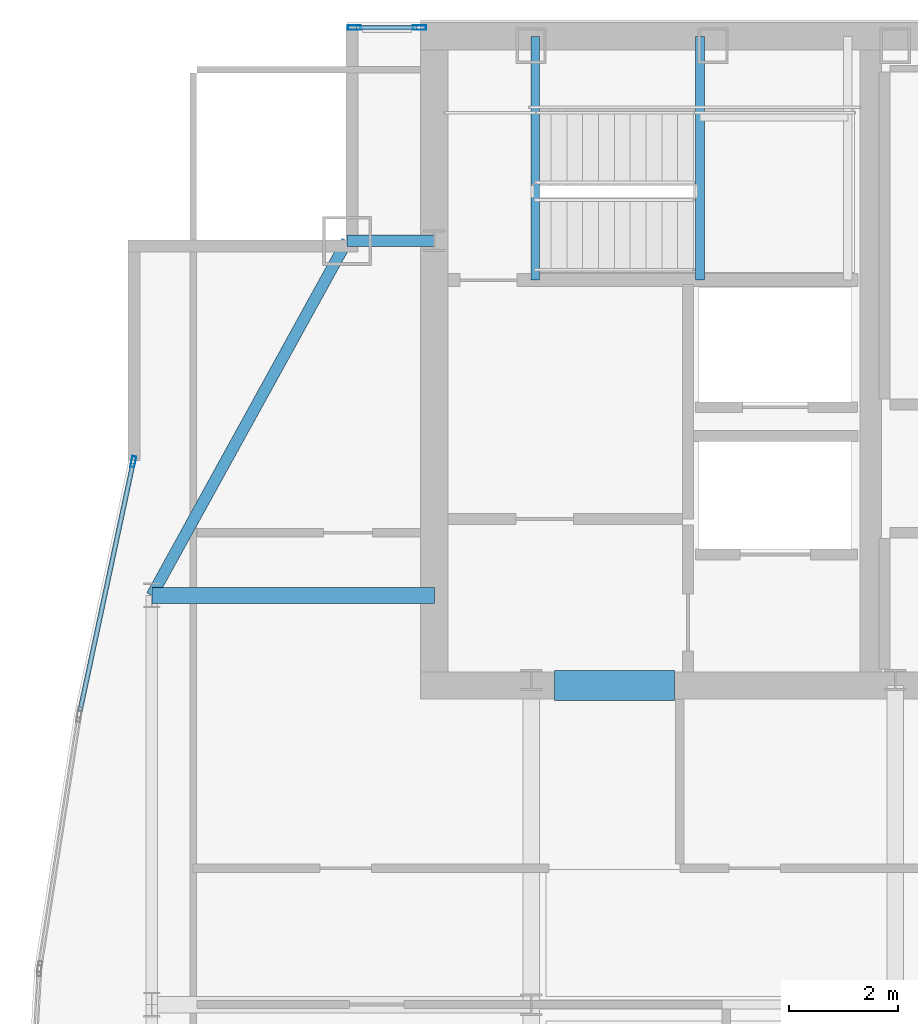
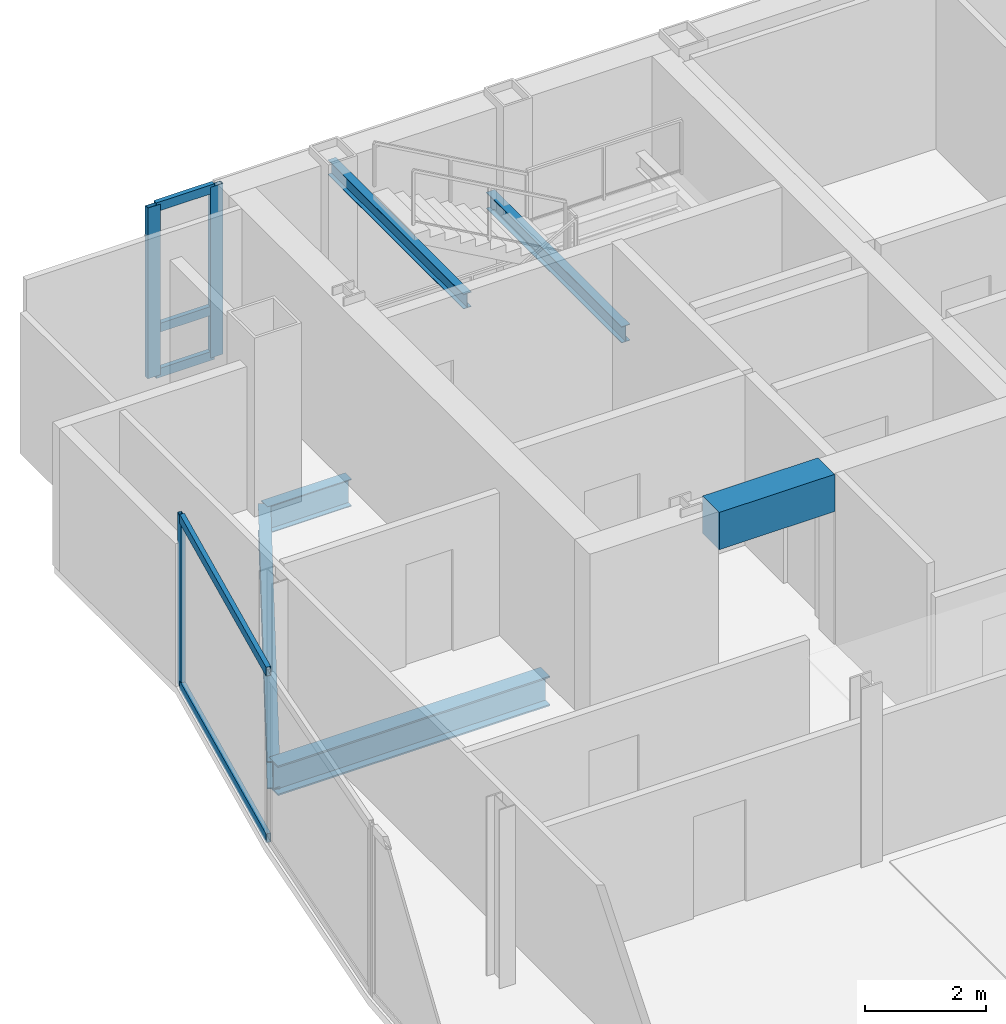
# One storey, part 20 of 29: 8 members, 6 beams, 2 elements without a shape of their own.
"""IFC4 building model written with IfcOpenShell, lengths in metres."""

from ifc_helpers import new_model, si_unit, direction, frame, origin, origin_2d, place, context, subcontext, project, spatial, rectangle, hollow_rectangle, i_section, extrude, material, material_profile, profile_set, type_object, element, aggregate, save


model = new_model("IFC4")

# Units and contexts
model_context = context("Model", 3, precision=1e-05, world=origin(), true_north=direction((0.0, 1.0)))
body_context = subcontext(model_context, "Body", "Model", "MODEL_VIEW")
ifc_project = project(units=[si_unit("LENGTHUNIT", "METRE"), si_unit("AREAUNIT", "SQUARE_METRE"), si_unit("VOLUMEUNIT", "CUBIC_METRE"), si_unit("PLANEANGLEUNIT", "RADIAN"), si_unit("MASSUNIT", "GRAM", prefix="KILO")], contexts=[model_context])

# Site, building, storey
site_placement = place(None, origin())
site = spatial("IfcSite", under=ifc_project, at=site_placement, CompositionType="ELEMENT")
building_placement = place(site_placement, origin())
building = spatial("IfcBuilding", under=site, at=building_placement, Name="Khoronbel Lancet Exchange", CompositionType="ELEMENT")
storey_placement = place(building_placement, frame((0.0, 0.0, 329.0)))
storey = spatial("IfcBuildingStorey", under=building, at=storey_placement, Name="L85", CompositionType="ELEMENT", Elevation=329.0)

# Beams
ifc_material_1 = material(Name="Steel S355", Category="steel")
ifc_material_profile_1 = material_profile(ifc_material_1, i_section(OverallWidth=0.300048828125, OverallDepth=0.60009765625, WebThickness=0.015380859375, FlangeThickness=0.030029296875, at=origin_2d()), Name="HEB 600")
ifc_profile_set_1 = profile_set([ifc_material_profile_1], Name="Steel S355")
beam_type_1 = type_object("IfcBeamType", Name="BM-BG5", PredefinedType="BEAM", material=ifc_profile_set_1)
beam_1_placement = place(storey_placement, frame((11.27001953125, 43.199951171875, -0.4599609375), z_axis=(1.0, 0.0, 0.0), x_axis=(0.0, 1.0, 0.0)))
element("IfcBeam", 1, at=beam_1_placement, inside=storey, type_object=beam_type_1, Name="Level L85 west lens tie girder LG3W", PredefinedType="BEAM", context=body_context, shape_type="SweptSolid", body=[
    extrude(i_section(OverallWidth=0.300048828125, OverallDepth=0.60009765625, WebThickness=0.015380859375, FlangeThickness=0.030029296875, at=origin_2d()), origin(), (0.0, 0.0, 1.0), 5.179931640625),
])
ifc_material_profile_2 = material_profile(ifc_material_1, i_section(OverallWidth=0.159912109375, OverallDepth=0.330078125, WebThickness=0.007568359375, FlangeThickness=0.011474609375, at=origin_2d()), Name="IPE 330")
ifc_profile_set_2 = profile_set([ifc_material_profile_2], Name="Steel S355")
beam_type_2 = type_object("IfcBeamType", Name="BM-BJ7", PredefinedType="JOIST", material=ifc_profile_set_2)
beam_2_placement = place(storey_placement, frame((21.320068359375, 48.97998046875, 1.43505859375), z_axis=(0.0, 1.0, 0.0), x_axis=(-1.0, 0.0, 0.0)))
element("IfcBeam", 2, at=beam_2_placement, inside=storey, type_object=beam_type_2, Name="Level L85 stair ST1 landing bearer beam 1", PredefinedType="JOIST", context=body_context, shape_type="SweptSolid", body=[
    extrude(i_section(OverallWidth=0.159912109375, OverallDepth=0.330078125, WebThickness=0.007568359375, FlangeThickness=0.011474609375, at=origin_2d()), origin(), (0.0, 0.0, 1.0), 4.469970703125),
])
ifc_material_profile_3 = material_profile(ifc_material_1, i_section(OverallWidth=0.14990234375, OverallDepth=0.300048828125, WebThickness=0.007080078125, FlangeThickness=0.0107421875, at=origin_2d()), Name="IPE 300")
ifc_profile_set_3 = profile_set([ifc_material_profile_3], Name="Steel S355")
beam_type_3 = type_object("IfcBeamType", Name="BM-BJ8", PredefinedType="JOIST", material=ifc_profile_set_3)
beam_3_placement = place(storey_placement, frame((18.300048828125, 48.97998046875, 3.159912109375), z_axis=(0.0, 1.0, 0.0), x_axis=(-1.0, 0.0, 0.0)))
element("IfcBeam", 3, at=beam_3_placement, inside=storey, type_object=beam_type_3, Name="Level L85 stair ST1 upper-flight arrival trimmer beam", PredefinedType="JOIST", context=body_context, shape_type="SweptSolid", body=[
    extrude(i_section(OverallWidth=0.14990234375, OverallDepth=0.300048828125, WebThickness=0.007080078125, FlangeThickness=0.0107421875, at=origin_2d()), origin(), (0.0, 0.0, 1.0), 4.469970703125),
])
ifc_material_2 = material(Name="Concrete C60/75", Category="concrete")
ifc_material_profile_4 = material_profile(ifc_material_2, rectangle(XDim=0.550048828125, YDim=0.75, at=origin_2d()), Name="RC 550x750")
ifc_profile_set_4 = profile_set([ifc_material_profile_4], Name="Concrete C60/75")
beam_type_4 = type_object("IfcBeamType", Name="BM-BL2", PredefinedType="LINTEL", material=ifc_profile_set_4)
beam_4_placement = place(storey_placement, frame((18.64990234375, 41.550048828125, 3.06494140625), z_axis=(1.0, 0.0, 0.0), x_axis=(0.0, 1.0, 0.0)))
element("IfcBeam", 4, at=beam_4_placement, inside=storey, type_object=beam_type_4, Name="Level L85 rear core coupling lintel L1", PredefinedType="LINTEL", context=body_context, shape_type="SweptSolid", body=[
    extrude(rectangle(XDim=0.550048828125, YDim=0.75, at=origin_2d()), origin(), (0.0, 0.0, 1.0), 2.2001953125),
])
ifc_material_profile_5 = material_profile(ifc_material_1, i_section(OverallWidth=0.2099609375, OverallDepth=0.550048828125, WebThickness=0.010986328125, FlangeThickness=0.01708984375, at=origin_2d()), Name="IPE 550")
ifc_profile_set_5 = profile_set([ifc_material_profile_5], Name="Steel S355")
beam_type_5 = type_object("IfcBeamType", Name="BM-BSP3", PredefinedType="SPANDREL", material=ifc_profile_set_5)
beam_5_placement = place(storey_placement, frame((14.85009765625, 49.699951171875, -0.43505859375), z_axis=(-0.482444051088, -0.875926787791, 0.0), x_axis=(0.875926787791, -0.482444051088, 0.0)))
element("IfcBeam", 5, at=beam_5_placement, inside=storey, type_object=beam_type_5, Name="Level L85 perimeter spandrel beam SP14", PredefinedType="SPANDREL", context=body_context, shape_type="SweptSolid", body=[
    extrude(i_section(OverallWidth=0.2099609375, OverallDepth=0.550048828125, WebThickness=0.010986328125, FlangeThickness=0.01708984375, at=origin_2d()), origin(), (0.0, 0.0, 1.0), 7.420654296875),
])
beam_6_placement = place(storey_placement, frame((14.85009765625, 49.699951171875, -0.43505859375), z_axis=(1.0, 0.0, 0.0), x_axis=(0.0, 1.0, 0.0)))
element("IfcBeam", 6, at=beam_6_placement, inside=storey, type_object=beam_type_5, Name="Level L85 north flank tie spandrel SP20", PredefinedType="SPANDREL", context=body_context, shape_type="SweptSolid", body=[
    extrude(i_section(OverallWidth=0.2099609375, OverallDepth=0.550048828125, WebThickness=0.010986328125, FlangeThickness=0.01708984375, at=origin_2d()), origin(), (0.0, 0.0, 1.0), 1.599853515625),
])

# Curtain wall, members
ifc_material_3 = material(Name="Low-E Solar Control Insulating Glass", Category="glass")
curtain_wall_type_1 = type_object("IfcCurtainWallType", Name="CW-3", PredefinedType="NOTDEFINED", material=ifc_material_3)
curtain_wall_1_placement = place(storey_placement, origin())
curtain_wall_1 = element("IfcCurtainWall", 7, at=curtain_wall_1_placement, inside=storey, type_object=curtain_wall_type_1, Name="Unitised curtain wall CW-L85-NWFLK", PredefinedType="NOTDEFINED")
ifc_material_4 = material(Name="Bronze-Anodised Aluminium 6063-T6", Category="aluminium")
ifc_material_profile_6 = material_profile(ifc_material_4, hollow_rectangle(XDim=0.0849609375, YDim=0.239990234375, WallThickness=0.006103515625, at=origin_2d()), Name="ALU MULLION 85x240")
ifc_profile_set_6 = profile_set([ifc_material_profile_6], Name="Bronze-Anodised Aluminium 6063-T6")
member_type_1 = type_object("IfcMemberType", Name="MEM-CWM1", PredefinedType="MULLION", material=ifc_profile_set_6)
member_1_placement = place(storey_placement, frame((16.177490234375, 53.610107421875, 0.0), z_axis=(0.0, 0.0, 1.0), x_axis=(0.0, -1.0, 0.0)))
member_1 = element("IfcMember", 8, at=member_1_placement, type_object=member_type_1, Name="CW3 mullion 1", PredefinedType="MULLION", context=body_context, shape_type="SweptSolid", body=[
    extrude(hollow_rectangle(XDim=0.0849609375, YDim=0.239990234375, WallThickness=0.006103515625, at=origin_2d()), origin(), (0.0, 0.0, 1.0), 3.43994140625),
])
member_2_placement = place(storey_placement, frame((14.982421875, 53.610107421875, 0.0), z_axis=(0.0, 0.0, 1.0), x_axis=(0.0, -1.0, 0.0)))
member_2 = element("IfcMember", 9, at=member_2_placement, type_object=member_type_1, Name="CW3 mullion 2", PredefinedType="MULLION", context=body_context, shape_type="SweptSolid", body=[
    extrude(hollow_rectangle(XDim=0.0849609375, YDim=0.239990234375, WallThickness=0.006103515625, at=origin_2d()), origin(), (0.0, 0.0, 1.0), 3.43994140625),
])

curtain_wall_type_2 = type_object("IfcCurtainWallType", Name="CW-4", PredefinedType="NOTDEFINED", material=ifc_material_3)
curtain_wall_2_placement = place(storey_placement, origin())
curtain_wall_2 = element("IfcCurtainWall", 10, at=curtain_wall_2_placement, inside=storey, type_object=curtain_wall_type_2, Name="Unitised curtain wall CW-L85-E09", PredefinedType="NOTDEFINED")
ifc_material_profile_7 = material_profile(ifc_material_4, hollow_rectangle(XDim=0.074951171875, YDim=0.199951171875, WallThickness=0.0048828125, at=origin_2d()), Name="ALU MULLION 75x200")
ifc_profile_set_7 = profile_set([ifc_material_profile_7], Name="Bronze-Anodised Aluminium 6063-T6")
member_type_2 = type_object("IfcMemberType", Name="MEM-CWM2", PredefinedType="MULLION", material=ifc_profile_set_7)
member_3_placement = place(storey_placement, frame((10.93212890625, 45.65380859375, 0.0), z_axis=(0.0, 0.0, 1.0), x_axis=(-0.977891735749, 0.209111819739, 0.0)))
member_3 = element("IfcMember", 11, at=member_3_placement, type_object=member_type_2, Name="CW4 mullion 2", PredefinedType="MULLION", context=body_context, shape_type="SweptSolid", body=[
    extrude(hollow_rectangle(XDim=0.074951171875, YDim=0.199951171875, WallThickness=0.0048828125, at=origin_2d()), origin(), (0.0, 0.0, 1.0), 3.43994140625),
])
ifc_material_profile_8 = material_profile(ifc_material_4, hollow_rectangle(XDim=0.0849609375, YDim=0.179931640625, WallThickness=0.0048828125, at=origin_2d()), Name="ALU TRANSOM 85x180")
ifc_profile_set_8 = profile_set([ifc_material_profile_8], Name="Bronze-Anodised Aluminium 6063-T6")
member_type_3 = type_object("IfcMemberType", Name="MEM-CWT1", PredefinedType="USERDEFINED", material=ifc_profile_set_8)
member_4_placement = place(storey_placement, frame((9.956298828125, 41.09033203125, 0.04248046875), z_axis=(0.209111271548, 0.977891852973, 0.0), x_axis=(-0.977891852973, 0.209111271548, 0.0)))
member_4 = element("IfcMember", 12, at=member_4_placement, type_object=member_type_3, Name="CW4 transom 1.1", ObjectType="TRANSOM", PredefinedType="USERDEFINED", context=body_context, shape_type="SweptSolid", body=[
    extrude(hollow_rectangle(XDim=0.0849609375, YDim=0.179931640625, WallThickness=0.0048828125, at=origin_2d()), origin(), (0.0, 0.0, 1.0), 4.629150390625),
])
member_5_placement = place(storey_placement, frame((9.956298828125, 41.09033203125, 3.3974609375), z_axis=(0.209111271548, 0.977891852973, 0.0), x_axis=(-0.977891852973, 0.209111271548, 0.0)))
member_5 = element("IfcMember", 13, at=member_5_placement, type_object=member_type_3, Name="CW4 transom 1.2", ObjectType="TRANSOM", PredefinedType="USERDEFINED", context=body_context, shape_type="SweptSolid", body=[
    extrude(hollow_rectangle(XDim=0.0849609375, YDim=0.179931640625, WallThickness=0.0048828125, at=origin_2d()), origin(), (0.0, 0.0, 1.0), 4.629150390625),
])
aggregate(curtain_wall_2, [member_3, member_4, member_5])

# Member
member_6_placement = place(storey_placement, frame((16.135009765625, 53.610107421875, 0.04248046875), z_axis=(-1.0, 0.0, 0.0), x_axis=(0.0, -1.0, 0.0)))
member_6 = element("IfcMember", 14, at=member_6_placement, type_object=member_type_3, Name="CW3 transom 1.1", ObjectType="TRANSOM", PredefinedType="USERDEFINED", context=body_context, shape_type="SweptSolid", body=[
    extrude(hollow_rectangle(XDim=0.0849609375, YDim=0.179931640625, WallThickness=0.0048828125, at=origin_2d()), origin(), (0.0, 0.0, 1.0), 1.110107421875),
])

member_7_placement = place(storey_placement, frame((16.135009765625, 53.610107421875, 0.949951171875), z_axis=(-1.0, 0.0, 0.0), x_axis=(0.0, -1.0, 0.0)))
member_7 = element("IfcMember", 15, at=member_7_placement, type_object=member_type_3, Name="CW3 transom 1.2", ObjectType="TRANSOM", PredefinedType="USERDEFINED", context=body_context, shape_type="SweptSolid", body=[
    extrude(hollow_rectangle(XDim=0.0849609375, YDim=0.179931640625, WallThickness=0.0048828125, at=origin_2d()), origin(), (0.0, 0.0, 1.0), 1.110107421875),
])

member_8_placement = place(storey_placement, frame((16.135009765625, 53.610107421875, 3.3974609375), z_axis=(-1.0, 0.0, 0.0), x_axis=(0.0, -1.0, 0.0)))
member_8 = element("IfcMember", 16, at=member_8_placement, type_object=member_type_3, Name="CW3 transom 1.3", ObjectType="TRANSOM", PredefinedType="USERDEFINED", context=body_context, shape_type="SweptSolid", body=[
    extrude(hollow_rectangle(XDim=0.0849609375, YDim=0.179931640625, WallThickness=0.0048828125, at=origin_2d()), origin(), (0.0, 0.0, 1.0), 1.110107421875),
])

aggregate(curtain_wall_1, [member_1, member_2, member_6, member_7, member_8])

save(model, "model.ifc")
